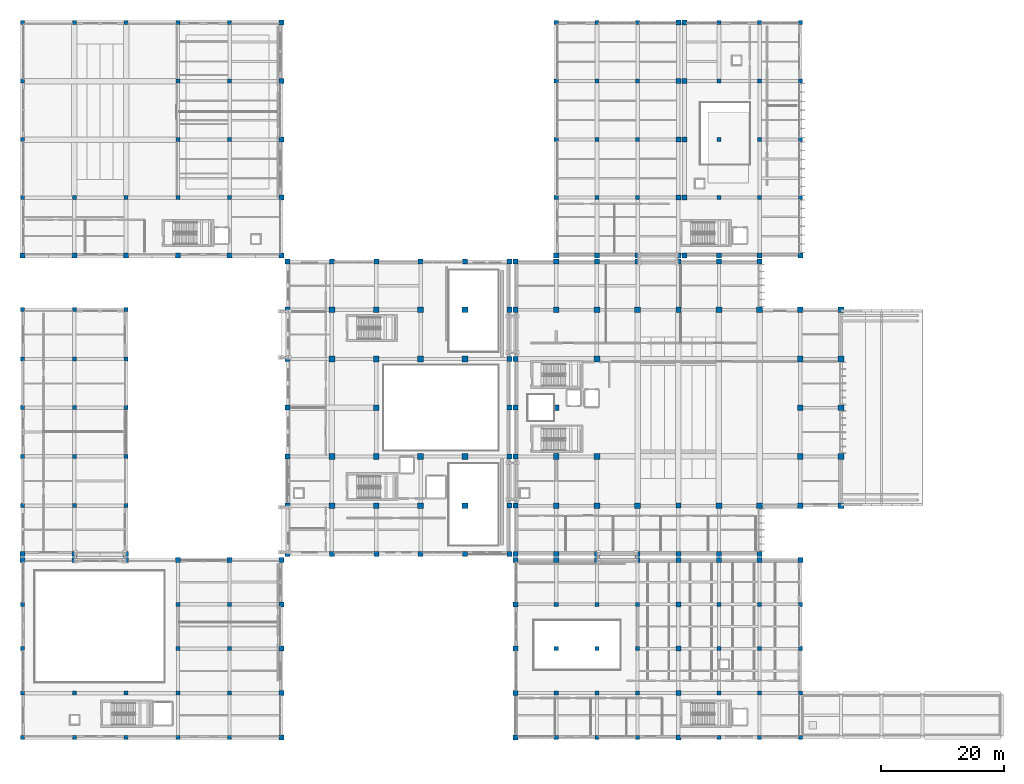
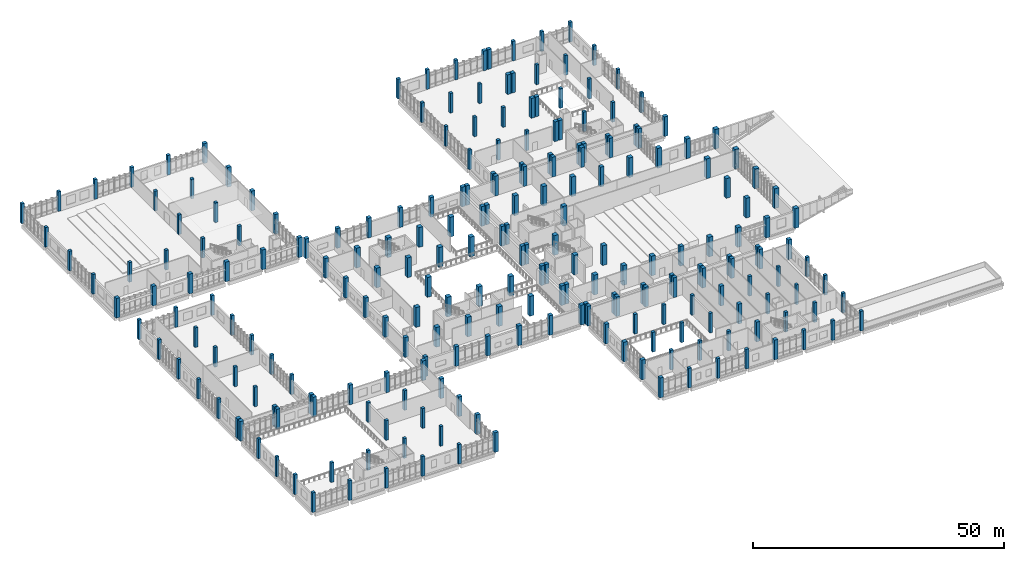
# One storey, part 1 of 90: 234 columns.
"""IFC4 building model written with IfcOpenShell, lengths in metres."""

from ifc_helpers import new_model, si_unit, direction, frame, origin, origin_2d, place, context, subcontext, project, spatial, rectangle, extrude, material, material_profile, profile_set, type_object, element, save


model = new_model("IFC4")

# Units and contexts
model_context = context("Model", 3, precision=1e-05, world=origin(), true_north=direction((0.0, 1.0)))
body_context = subcontext(model_context, "Body", "Model", "MODEL_VIEW")
ifc_project = project(units=[si_unit("LENGTHUNIT", "METRE"), si_unit("AREAUNIT", "SQUARE_METRE"), si_unit("VOLUMEUNIT", "CUBIC_METRE"), si_unit("PLANEANGLEUNIT", "RADIAN"), si_unit("MASSUNIT", "GRAM", prefix="KILO")], contexts=[model_context])

# Site, building, storey
site_placement = place(None, origin())
site = spatial("IfcSite", under=ifc_project, at=site_placement, CompositionType="ELEMENT")
building_placement = place(site_placement, origin())
building = spatial("IfcBuilding", under=site, at=building_placement, Name="Kelarvand Opera House", CompositionType="ELEMENT")
storey_placement = place(building_placement, frame((0.0, 0.0, 5.39990234375)))
storey = spatial("IfcBuildingStorey", under=building, at=storey_placement, Name="L01", CompositionType="ELEMENT", Elevation=5.39990234375)

# Columns
ifc_material = material(Name="Concrete C40/50", Category="concrete")
ifc_material_profile_1 = material_profile(ifc_material, rectangle(XDim=0.64990234375, YDim=0.64990234375, at=origin_2d()), Name="RC 650x650", Category="concrete")
ifc_profile_set_1 = profile_set([ifc_material_profile_1], Name="Concrete C40/50")
column_type_1 = type_object("IfcColumnType", Name="Structural Column RC 650x650 (Ext) COL-650E", PredefinedType="COLUMN", material=ifc_profile_set_1)
for number, where, z_axis, x_axis, name in (
    (1, (9.0, 96.60009765625, 0.0), (0.0, 0.0, 1.0), (1.0, 0.0, 0.0), "V3 Column COL-650E at L01"),
    (2, (9.0, 106.0, 0.0), (0.0, 0.0, 1.0), (1.0, 0.0, 0.0), "V3 Column COL-650E at L01"),
    (3, (9.0, 115.5, 0.0), (0.0, 0.0, 1.0), (1.0, 0.0, 0.0), "V3 Column COL-650E at L01"),
    (4, (9.0, 125.0, 0.0), (0.0, 0.0, 1.0), (1.0, 0.0, 0.0), "V3 Column COL-650E at L01"),
    (5, (17.39990234375, 125.0, 0.0), (0.0, 0.0, 1.0), (1.0, 0.0, 0.0), "V3 Column COL-650E at L01"),
    (6, (25.800048828125, 125.0, 0.0), (0.0, 0.0, 1.0), (1.0, 0.0, 0.0), "V3 Column COL-650E at L01"),
    (7, (34.199951171875, 125.0, 0.0), (0.0, 0.0, 1.0), (1.0, 0.0, 0.0), "V3 Column COL-650E at L01"),
    (8, (42.60009765625, 125.0, 0.0), (0.0, 0.0, 1.0), (1.0, 0.0, 0.0), "V3 Column COL-650E at L01"),
    (9, (9.0, 9.0, 0.0), (0.0, 0.0, 1.0), (1.0, 0.0, 0.0), "V4 Column COL-650E at L01"),
    (10, (9.0, 16.199951171875, 0.0), (0.0, 0.0, 1.0), (1.0, 0.0, 0.0), "V4 Column COL-650E at L01"),
    (11, (9.0, 23.39990234375, 0.0), (0.0, 0.0, 1.0), (1.0, 0.0, 0.0), "V4 Column COL-650E at L01"),
    (12, (9.0, 30.60009765625, 0.0), (0.0, 0.0, 1.0), (1.0, 0.0, 0.0), "V4 Column COL-650E at L01"),
    (13, (9.0, 46.60009765625, 0.0), (0.0, 0.0, 1.0), (1.0, 0.0, 0.0), "V4 Column COL-650E at L01"),
    (14, (9.0, 54.60009765625, 0.0), (0.0, 0.0, 1.0), (1.0, 0.0, 0.0), "V4 Column COL-650E at L01"),
    (15, (9.0, 62.5, 0.0), (0.0, 0.0, 1.0), (1.0, 0.0, 0.0), "V4 Column COL-650E at L01"),
    (16, (9.0, 70.39990234375, 0.0), (0.0, 0.0, 1.0), (1.0, 0.0, 0.0), "V4 Column COL-650E at L01"),
    (17, (9.0, 78.39990234375, 0.0), (0.0, 0.0, 1.0), (1.0, 0.0, 0.0), "V4 Column COL-650E at L01"),
    (18, (17.39990234375, 9.0, 0.0), (0.0, 0.0, 1.0), (1.0, 0.0, 0.0), "V4 Column COL-650E at L01"),
    (19, (25.800048828125, 9.0, 0.0), (0.0, 0.0, 1.0), (1.0, 0.0, 0.0), "V4 Column COL-650E at L01"),
    (20, (34.199951171875, 9.0, 0.0), (0.0, 0.0, 1.0), (1.0, 0.0, 0.0), "V4 Column COL-650E at L01"),
    (21, (42.60009765625, 9.0, 0.0), (0.0, 0.0, 1.0), (1.0, 0.0, 0.0), "V4 Column COL-650E at L01"),
    (22, (95.60009765625, 96.60009765625, 0.0), (0.0, 0.0, 1.0), (1.0, 0.0, 0.0), "V5 Column COL-650E at L01"),
    (23, (95.60009765625, 106.0, 0.0), (0.0, 0.0, 1.0), (1.0, 0.0, 0.0), "V5 Column COL-650E at L01"),
    (24, (95.60009765625, 115.5, 0.0), (0.0, 0.0, 1.0), (1.0, 0.0, 0.0), "V5 Column COL-650E at L01"),
    (25, (95.60009765625, 125.0, 0.0), (0.0, 0.0, 1.0), (1.0, 0.0, 0.0), "V5 Column COL-650E at L01"),
    (26, (102.199951171875, 125.0, 0.0), (0.0, 0.0, 1.0), (1.0, 0.0, 0.0), "V5 Column COL-650E at L01"),
    (27, (108.800048828125, 125.0, 0.0), (0.0, 0.0, 1.0), (1.0, 0.0, 0.0), "V5 Column COL-650E at L01"),
    (28, (122.0, 125.0, 0.0), (0.0, 0.0, 1.0), (1.0, 0.0, 0.0), "V5 Column COL-650E at L01"),
    (29, (128.60009765625, 125.0, 0.0), (0.0, 0.0, 1.0), (1.0, 0.0, 0.0), "V5 Column COL-650E at L01"),
    (30, (135.199951171875, 96.60009765625, 0.0), (0.0, 0.0, 1.0), (1.0, 0.0, 0.0), "V5 Column COL-650E at L01"),
    (31, (135.199951171875, 106.0, 0.0), (0.0, 0.0, 1.0), (1.0, 0.0, 0.0), "V5 Column COL-650E at L01"),
    (32, (135.199951171875, 115.5, 0.0), (0.0, 0.0, 1.0), (1.0, 0.0, 0.0), "V5 Column COL-650E at L01"),
    (33, (135.199951171875, 125.0, 0.0), (0.0, 0.0, 1.0), (1.0, 0.0, 0.0), "V5 Column COL-650E at L01"),
    (34, (95.60009765625, 9.0, 0.0), (0.0, 0.0, 1.0), (1.0, 0.0, 0.0), "V6 Column COL-650E at L01"),
    (35, (102.199951171875, 9.0, 0.0), (0.0, 0.0, 1.0), (1.0, 0.0, 0.0), "V6 Column COL-650E at L01"),
    (36, (108.800048828125, 9.0, 0.0), (0.0, 0.0, 1.0), (1.0, 0.0, 0.0), "V6 Column COL-650E at L01"),
    (37, (122.0, 9.0, 0.0), (0.0, 0.0, 1.0), (1.0, 0.0, 0.0), "V6 Column COL-650E at L01"),
    (38, (128.60009765625, 9.0, 0.0), (0.0, 0.0, 1.0), (1.0, 0.0, 0.0), "V6 Column COL-650E at L01"),
    (39, (135.199951171875, 9.0, 0.0), (0.0, 0.0, 1.0), (1.0, 0.0, 0.0), "V6 Column COL-650E at L01"),
):
    element("IfcColumn", number, at=place(storey_placement, frame(where, z_axis=z_axis, x_axis=x_axis)), inside=storey, type_object=column_type_1, Name=name, PredefinedType="COLUMN", context=body_context, shape_type="SweptSolid", body=[
        extrude(rectangle(XDim=0.64990234375, YDim=0.64990234375, at=origin_2d()), origin(), (0.0, 0.0, 1.0), 4.800048828125),
    ])
ifc_material_profile_2 = material_profile(ifc_material, rectangle(XDim=0.64990234375, YDim=0.64990234375, at=origin_2d()), Name="RC 650x650", Category="concrete")
ifc_profile_set_2 = profile_set([ifc_material_profile_2], Name="Concrete C40/50")
column_type_2 = type_object("IfcColumnType", Name="Structural Column RC 650x650 (Int) COL-650", PredefinedType="COLUMN", material=ifc_profile_set_2)
for number, where, z_axis, x_axis, name in (
    (40, (17.39990234375, 96.60009765625, 0.0), (0.0, 0.0, 1.0), (1.0, 0.0, 0.0), "V3 Column COL-650 at L01"),
    (41, (25.800048828125, 96.60009765625, 0.0), (0.0, 0.0, 1.0), (1.0, 0.0, 0.0), "V3 Column COL-650 at L01"),
    (42, (34.199951171875, 96.60009765625, 0.0), (0.0, 0.0, 1.0), (1.0, 0.0, 0.0), "V3 Column COL-650 at L01"),
    (43, (34.199951171875, 106.0, 0.0), (0.0, 0.0, 1.0), (1.0, 0.0, 0.0), "V3 Column COL-650 at L01"),
    (44, (34.199951171875, 115.5, 0.0), (0.0, 0.0, 1.0), (1.0, 0.0, 0.0), "V3 Column COL-650 at L01"),
    (45, (42.60009765625, 96.60009765625, 0.0), (0.0, 0.0, 1.0), (1.0, 0.0, 0.0), "V3 Column COL-650 at L01"),
    (46, (42.60009765625, 106.0, 0.0), (0.0, 0.0, 1.0), (1.0, 0.0, 0.0), "V3 Column COL-650 at L01"),
    (47, (42.60009765625, 115.5, 0.0), (0.0, 0.0, 1.0), (1.0, 0.0, 0.0), "V3 Column COL-650 at L01"),
    (48, (17.39990234375, 16.199951171875, 0.0), (0.0, 0.0, 1.0), (1.0, 0.0, 0.0), "V4 Column COL-650 at L01"),
    (49, (17.39990234375, 46.60009765625, 0.0), (0.0, 0.0, 1.0), (1.0, 0.0, 0.0), "V4 Column COL-650 at L01"),
    (50, (17.39990234375, 54.60009765625, 0.0), (0.0, 0.0, 1.0), (1.0, 0.0, 0.0), "V4 Column COL-650 at L01"),
    (51, (17.39990234375, 62.5, 0.0), (0.0, 0.0, 1.0), (1.0, 0.0, 0.0), "V4 Column COL-650 at L01"),
    (52, (17.39990234375, 70.39990234375, 0.0), (0.0, 0.0, 1.0), (1.0, 0.0, 0.0), "V4 Column COL-650 at L01"),
    (53, (17.39990234375, 78.39990234375, 0.0), (0.0, 0.0, 1.0), (1.0, 0.0, 0.0), "V4 Column COL-650 at L01"),
    (54, (25.800048828125, 16.199951171875, 0.0), (0.0, 0.0, 1.0), (1.0, 0.0, 0.0), "V4 Column COL-650 at L01"),
    (55, (25.800048828125, 46.60009765625, 0.0), (0.0, 0.0, 1.0), (1.0, 0.0, 0.0), "V4 Column COL-650 at L01"),
    (56, (25.800048828125, 54.60009765625, 0.0), (0.0, 0.0, 1.0), (1.0, 0.0, 0.0), "V4 Column COL-650 at L01"),
    (57, (25.800048828125, 62.5, 0.0), (0.0, 0.0, 1.0), (1.0, 0.0, 0.0), "V4 Column COL-650 at L01"),
    (58, (25.800048828125, 70.39990234375, 0.0), (0.0, 0.0, 1.0), (1.0, 0.0, 0.0), "V4 Column COL-650 at L01"),
    (59, (25.800048828125, 78.39990234375, 0.0), (0.0, 0.0, 1.0), (1.0, 0.0, 0.0), "V4 Column COL-650 at L01"),
    (60, (34.199951171875, 16.199951171875, 0.0), (0.0, 0.0, 1.0), (1.0, 0.0, 0.0), "V4 Column COL-650 at L01"),
    (61, (34.199951171875, 23.39990234375, 0.0), (0.0, 0.0, 1.0), (1.0, 0.0, 0.0), "V4 Column COL-650 at L01"),
    (62, (34.199951171875, 30.60009765625, 0.0), (0.0, 0.0, 1.0), (1.0, 0.0, 0.0), "V4 Column COL-650 at L01"),
    (63, (42.60009765625, 16.199951171875, 0.0), (0.0, 0.0, 1.0), (1.0, 0.0, 0.0), "V4 Column COL-650 at L01"),
    (64, (42.60009765625, 23.39990234375, 0.0), (0.0, 0.0, 1.0), (1.0, 0.0, 0.0), "V4 Column COL-650 at L01"),
    (65, (42.60009765625, 30.60009765625, 0.0), (0.0, 0.0, 1.0), (1.0, 0.0, 0.0), "V4 Column COL-650 at L01"),
    (66, (102.199951171875, 96.60009765625, 0.0), (0.0, 0.0, 1.0), (1.0, 0.0, 0.0), "V5 Column COL-650 at L01"),
    (67, (102.199951171875, 106.0, 0.0), (0.0, 0.0, 1.0), (1.0, 0.0, 0.0), "V5 Column COL-650 at L01"),
    (68, (102.199951171875, 115.5, 0.0), (0.0, 0.0, 1.0), (1.0, 0.0, 0.0), "V5 Column COL-650 at L01"),
    (69, (108.800048828125, 96.60009765625, 0.0), (0.0, 0.0, 1.0), (1.0, 0.0, 0.0), "V5 Column COL-650 at L01"),
    (70, (108.800048828125, 106.0, 0.0), (0.0, 0.0, 1.0), (1.0, 0.0, 0.0), "V5 Column COL-650 at L01"),
    (71, (108.800048828125, 115.5, 0.0), (0.0, 0.0, 1.0), (1.0, 0.0, 0.0), "V5 Column COL-650 at L01"),
    (72, (122.0, 96.60009765625, 0.0), (0.0, 0.0, 1.0), (1.0, 0.0, 0.0), "V5 Column COL-650 at L01"),
    (73, (122.0, 106.0, 0.0), (0.0, 0.0, 1.0), (1.0, 0.0, 0.0), "V5 Column COL-650 at L01"),
    (74, (122.0, 115.5, 0.0), (0.0, 0.0, 1.0), (1.0, 0.0, 0.0), "V5 Column COL-650 at L01"),
    (75, (128.60009765625, 96.60009765625, 0.0), (0.0, 0.0, 1.0), (1.0, 0.0, 0.0), "V5 Column COL-650 at L01"),
    (76, (128.60009765625, 106.0, 0.0), (0.0, 0.0, 1.0), (1.0, 0.0, 0.0), "V5 Column COL-650 at L01"),
    (77, (128.60009765625, 115.5, 0.0), (0.0, 0.0, 1.0), (1.0, 0.0, 0.0), "V5 Column COL-650 at L01"),
    (78, (95.60009765625, 16.199951171875, 0.0), (0.0, 0.0, 1.0), (1.0, 0.0, 0.0), "V6 Column COL-650 at L01"),
    (79, (95.60009765625, 23.39990234375, 0.0), (0.0, 0.0, 1.0), (1.0, 0.0, 0.0), "V6 Column COL-650 at L01"),
    (80, (95.60009765625, 30.60009765625, 0.0), (0.0, 0.0, 1.0), (1.0, 0.0, 0.0), "V6 Column COL-650 at L01"),
    (81, (102.199951171875, 16.199951171875, 0.0), (0.0, 0.0, 1.0), (1.0, 0.0, 0.0), "V6 Column COL-650 at L01"),
    (82, (102.199951171875, 23.39990234375, 0.0), (0.0, 0.0, 1.0), (1.0, 0.0, 0.0), "V6 Column COL-650 at L01"),
    (83, (102.199951171875, 30.60009765625, 0.0), (0.0, 0.0, 1.0), (1.0, 0.0, 0.0), "V6 Column COL-650 at L01"),
    (84, (108.800048828125, 16.199951171875, 0.0), (0.0, 0.0, 1.0), (1.0, 0.0, 0.0), "V6 Column COL-650 at L01"),
    (85, (108.800048828125, 23.39990234375, 0.0), (0.0, 0.0, 1.0), (1.0, 0.0, 0.0), "V6 Column COL-650 at L01"),
    (86, (108.800048828125, 30.60009765625, 0.0), (0.0, 0.0, 1.0), (1.0, 0.0, 0.0), "V6 Column COL-650 at L01"),
    (87, (122.0, 16.199951171875, 0.0), (0.0, 0.0, 1.0), (1.0, 0.0, 0.0), "V6 Column COL-650 at L01"),
    (88, (122.0, 23.39990234375, 0.0), (0.0, 0.0, 1.0), (1.0, 0.0, 0.0), "V6 Column COL-650 at L01"),
    (89, (122.0, 30.60009765625, 0.0), (0.0, 0.0, 1.0), (1.0, 0.0, 0.0), "V6 Column COL-650 at L01"),
    (90, (128.60009765625, 16.199951171875, 0.0), (0.0, 0.0, 1.0), (1.0, 0.0, 0.0), "V6 Column COL-650 at L01"),
    (91, (128.60009765625, 23.39990234375, 0.0), (0.0, 0.0, 1.0), (1.0, 0.0, 0.0), "V6 Column COL-650 at L01"),
    (92, (128.60009765625, 30.60009765625, 0.0), (0.0, 0.0, 1.0), (1.0, 0.0, 0.0), "V6 Column COL-650 at L01"),
    (93, (135.199951171875, 16.199951171875, 0.0), (0.0, 0.0, 1.0), (1.0, 0.0, 0.0), "V6 Column COL-650 at L01"),
    (94, (135.199951171875, 23.39990234375, 0.0), (0.0, 0.0, 1.0), (1.0, 0.0, 0.0), "V6 Column COL-650 at L01"),
    (95, (135.199951171875, 30.60009765625, 0.0), (0.0, 0.0, 1.0), (1.0, 0.0, 0.0), "V6 Column COL-650 at L01"),
):
    element("IfcColumn", number, at=place(storey_placement, frame(where, z_axis=z_axis, x_axis=x_axis)), inside=storey, type_object=column_type_2, Name=name, PredefinedType="COLUMN", context=body_context, shape_type="SweptSolid", body=[
        extrude(rectangle(XDim=0.64990234375, YDim=0.64990234375, at=origin_2d()), origin(), (0.0, 0.0, 1.0), 4.800048828125),
    ])
ifc_material_profile_3 = material_profile(ifc_material, rectangle(XDim=0.820068359375, YDim=0.820068359375, at=origin_2d()), Name="RC 820x820", Category="concrete")
ifc_profile_set_3 = profile_set([ifc_material_profile_3], Name="Concrete C40/50")
column_type_3 = type_object("IfcColumnType", Name="Structural Column RC 820x820 (Int) COL-820", PredefinedType="COLUMN", material=ifc_profile_set_3)
for number, where, z_axis, x_axis, name in (
    (96, (89.0, 38.800048828125, 0.0), (0.0, 0.0, 1.0), (1.0, 0.0, 0.0), "V1 Column COL-820 at L01"),
    (97, (89.0, 46.60009765625, 0.0), (0.0, 0.0, 1.0), (1.0, 0.0, 0.0), "V1 Column COL-820 at L01"),
    (98, (89.0, 54.60009765625, 0.0), (0.0, 0.0, 1.0), (1.0, 0.0, 0.0), "V1 Column COL-820 at L01"),
    (99, (89.0, 62.5, 0.0), (0.0, 0.0, 1.0), (1.0, 0.0, 0.0), "V1 Column COL-820 at L01"),
    (100, (89.0, 70.39990234375, 0.0), (0.0, 0.0, 1.0), (1.0, 0.0, 0.0), "V1 Column COL-820 at L01"),
    (101, (89.0, 78.39990234375, 0.0), (0.0, 0.0, 1.0), (1.0, 0.0, 0.0), "V1 Column COL-820 at L01"),
    (102, (89.0, 86.199951171875, 0.0), (0.0, 0.0, 1.0), (1.0, 0.0, 0.0), "V1 Column COL-820 at L01"),
    (103, (95.60009765625, 38.800048828125, 0.0), (0.0, 0.0, 1.0), (1.0, 0.0, 0.0), "V1 Column COL-820 at L01"),
    (104, (95.60009765625, 86.199951171875, 0.0), (0.0, 0.0, 1.0), (1.0, 0.0, 0.0), "V1 Column COL-820 at L01"),
    (105, (102.199951171875, 38.800048828125, 0.0), (0.0, 0.0, 1.0), (1.0, 0.0, 0.0), "V1 Column COL-820 at L01"),
    (106, (102.199951171875, 86.199951171875, 0.0), (0.0, 0.0, 1.0), (1.0, 0.0, 0.0), "V1 Column COL-820 at L01"),
    (107, (108.800048828125, 38.800048828125, 0.0), (0.0, 0.0, 1.0), (1.0, 0.0, 0.0), "V1 Column COL-820 at L01"),
    (108, (108.800048828125, 86.199951171875, 0.0), (0.0, 0.0, 1.0), (1.0, 0.0, 0.0), "V1 Column COL-820 at L01"),
    (109, (115.39990234375, 38.800048828125, 0.0), (0.0, 0.0, 1.0), (1.0, 0.0, 0.0), "V1 Column COL-820 at L01"),
    (110, (115.39990234375, 46.60009765625, 0.0), (0.0, 0.0, 1.0), (1.0, 0.0, 0.0), "V1 Column COL-820 at L01"),
    (111, (115.39990234375, 78.39990234375, 0.0), (0.0, 0.0, 1.0), (1.0, 0.0, 0.0), "V1 Column COL-820 at L01"),
    (112, (115.39990234375, 86.199951171875, 0.0), (0.0, 0.0, 1.0), (1.0, 0.0, 0.0), "V1 Column COL-820 at L01"),
    (113, (122.0, 38.800048828125, 0.0), (0.0, 0.0, 1.0), (1.0, 0.0, 0.0), "V1 Column COL-820 at L01"),
    (114, (122.0, 86.199951171875, 0.0), (0.0, 0.0, 1.0), (1.0, 0.0, 0.0), "V1 Column COL-820 at L01"),
    (115, (128.60009765625, 38.800048828125, 0.0), (0.0, 0.0, 1.0), (1.0, 0.0, 0.0), "V1 Column COL-820 at L01"),
    (116, (128.60009765625, 86.199951171875, 0.0), (0.0, 0.0, 1.0), (1.0, 0.0, 0.0), "V1 Column COL-820 at L01"),
    (117, (52.0, 38.800048828125, 0.0), (0.0, 0.0, 1.0), (1.0, 0.0, 0.0), "V2 Column COL-820 at L01"),
    (118, (52.0, 46.60009765625, 0.0), (0.0, 0.0, 1.0), (1.0, 0.0, 0.0), "V2 Column COL-820 at L01"),
    (119, (52.0, 54.60009765625, 0.0), (0.0, 0.0, 1.0), (1.0, 0.0, 0.0), "V2 Column COL-820 at L01"),
    (120, (52.0, 62.5, 0.0), (0.0, 0.0, 1.0), (1.0, 0.0, 0.0), "V2 Column COL-820 at L01"),
    (121, (52.0, 70.39990234375, 0.0), (0.0, 0.0, 1.0), (1.0, 0.0, 0.0), "V2 Column COL-820 at L01"),
    (122, (52.0, 78.39990234375, 0.0), (0.0, 0.0, 1.0), (1.0, 0.0, 0.0), "V2 Column COL-820 at L01"),
    (123, (52.0, 86.199951171875, 0.0), (0.0, 0.0, 1.0), (1.0, 0.0, 0.0), "V2 Column COL-820 at L01"),
    (124, (59.199951171875, 38.800048828125, 0.0), (0.0, 0.0, 1.0), (1.0, 0.0, 0.0), "V2 Column COL-820 at L01"),
    (125, (59.199951171875, 86.199951171875, 0.0), (0.0, 0.0, 1.0), (1.0, 0.0, 0.0), "V2 Column COL-820 at L01"),
    (126, (66.39990234375, 38.800048828125, 0.0), (0.0, 0.0, 1.0), (1.0, 0.0, 0.0), "V2 Column COL-820 at L01"),
    (127, (66.39990234375, 86.199951171875, 0.0), (0.0, 0.0, 1.0), (1.0, 0.0, 0.0), "V2 Column COL-820 at L01"),
    (128, (73.60009765625, 38.800048828125, 0.0), (0.0, 0.0, 1.0), (1.0, 0.0, 0.0), "V2 Column COL-820 at L01"),
    (129, (73.60009765625, 86.199951171875, 0.0), (0.0, 0.0, 1.0), (1.0, 0.0, 0.0), "V2 Column COL-820 at L01"),
    (130, (80.800048828125, 38.800048828125, 0.0), (0.0, 0.0, 1.0), (1.0, 0.0, 0.0), "V2 Column COL-820 at L01"),
    (131, (80.800048828125, 86.199951171875, 0.0), (0.0, 0.0, 1.0), (1.0, 0.0, 0.0), "V2 Column COL-820 at L01"),
    (132, (88.0, 38.800048828125, 0.0), (0.0, 0.0, 1.0), (1.0, 0.0, 0.0), "V2 Column COL-820 at L01"),
    (133, (88.0, 46.60009765625, 0.0), (0.0, 0.0, 1.0), (1.0, 0.0, 0.0), "V2 Column COL-820 at L01"),
    (134, (88.0, 54.60009765625, 0.0), (0.0, 0.0, 1.0), (1.0, 0.0, 0.0), "V2 Column COL-820 at L01"),
    (135, (88.0, 62.5, 0.0), (0.0, 0.0, 1.0), (1.0, 0.0, 0.0), "V2 Column COL-820 at L01"),
    (136, (88.0, 70.39990234375, 0.0), (0.0, 0.0, 1.0), (1.0, 0.0, 0.0), "V2 Column COL-820 at L01"),
    (137, (88.0, 78.39990234375, 0.0), (0.0, 0.0, 1.0), (1.0, 0.0, 0.0), "V2 Column COL-820 at L01"),
    (138, (88.0, 86.199951171875, 0.0), (0.0, 0.0, 1.0), (1.0, 0.0, 0.0), "V2 Column COL-820 at L01"),
    (139, (9.0, 87.199951171875, 0.0), (0.0, 0.0, 1.0), (1.0, 0.0, 0.0), "V3 Column COL-820 at L01"),
    (140, (17.39990234375, 87.199951171875, 0.0), (0.0, 0.0, 1.0), (1.0, 0.0, 0.0), "V3 Column COL-820 at L01"),
    (141, (25.800048828125, 87.199951171875, 0.0), (0.0, 0.0, 1.0), (1.0, 0.0, 0.0), "V3 Column COL-820 at L01"),
    (142, (34.199951171875, 87.199951171875, 0.0), (0.0, 0.0, 1.0), (1.0, 0.0, 0.0), "V3 Column COL-820 at L01"),
    (143, (42.60009765625, 87.199951171875, 0.0), (0.0, 0.0, 1.0), (1.0, 0.0, 0.0), "V3 Column COL-820 at L01"),
    (144, (51.0, 87.199951171875, 0.0), (0.0, 0.0, 1.0), (1.0, 0.0, 0.0), "V3 Column COL-820 at L01"),
    (145, (51.0, 96.60009765625, 0.0), (0.0, 0.0, 1.0), (1.0, 0.0, 0.0), "V3 Column COL-820 at L01"),
    (146, (51.0, 106.0, 0.0), (0.0, 0.0, 1.0), (1.0, 0.0, 0.0), "V3 Column COL-820 at L01"),
    (147, (51.0, 115.5, 0.0), (0.0, 0.0, 1.0), (1.0, 0.0, 0.0), "V3 Column COL-820 at L01"),
    (148, (51.0, 125.0, 0.0), (0.0, 0.0, 1.0), (1.0, 0.0, 0.0), "V3 Column COL-820 at L01"),
    (149, (9.0, 37.800048828125, 0.0), (0.0, 0.0, 1.0), (1.0, 0.0, 0.0), "V4 Column COL-820 at L01"),
    (150, (9.0, 38.800048828125, 0.0), (0.0, 0.0, 1.0), (1.0, 0.0, 0.0), "V4 Column COL-820 at L01"),
    (151, (17.39990234375, 37.800048828125, 0.0), (0.0, 0.0, 1.0), (1.0, 0.0, 0.0), "V4 Column COL-820 at L01"),
    (152, (17.39990234375, 38.800048828125, 0.0), (0.0, 0.0, 1.0), (1.0, 0.0, 0.0), "V4 Column COL-820 at L01"),
    (153, (25.800048828125, 37.800048828125, 0.0), (0.0, 0.0, 1.0), (1.0, 0.0, 0.0), "V4 Column COL-820 at L01"),
    (154, (25.800048828125, 38.800048828125, 0.0), (0.0, 0.0, 1.0), (1.0, 0.0, 0.0), "V4 Column COL-820 at L01"),
    (155, (34.199951171875, 37.800048828125, 0.0), (0.0, 0.0, 1.0), (1.0, 0.0, 0.0), "V4 Column COL-820 at L01"),
    (156, (42.60009765625, 37.800048828125, 0.0), (0.0, 0.0, 1.0), (1.0, 0.0, 0.0), "V4 Column COL-820 at L01"),
    (157, (51.0, 9.0, 0.0), (0.0, 0.0, 1.0), (1.0, 0.0, 0.0), "V4 Column COL-820 at L01"),
    (158, (51.0, 16.199951171875, 0.0), (0.0, 0.0, 1.0), (1.0, 0.0, 0.0), "V4 Column COL-820 at L01"),
    (159, (51.0, 23.39990234375, 0.0), (0.0, 0.0, 1.0), (1.0, 0.0, 0.0), "V4 Column COL-820 at L01"),
    (160, (51.0, 30.60009765625, 0.0), (0.0, 0.0, 1.0), (1.0, 0.0, 0.0), "V4 Column COL-820 at L01"),
    (161, (51.0, 37.800048828125, 0.0), (0.0, 0.0, 1.0), (1.0, 0.0, 0.0), "V4 Column COL-820 at L01"),
    (162, (95.60009765625, 87.199951171875, 0.0), (0.0, 0.0, 1.0), (1.0, 0.0, 0.0), "V5 Column COL-820 at L01"),
    (163, (102.199951171875, 87.199951171875, 0.0), (0.0, 0.0, 1.0), (1.0, 0.0, 0.0), "V5 Column COL-820 at L01"),
    (164, (108.800048828125, 87.199951171875, 0.0), (0.0, 0.0, 1.0), (1.0, 0.0, 0.0), "V5 Column COL-820 at L01"),
    (165, (115.39990234375, 87.199951171875, 0.0), (0.0, 0.0, 1.0), (1.0, 0.0, 0.0), "V5 Column COL-820 at L01"),
    (166, (115.39990234375, 96.60009765625, 0.0), (0.0, 0.0, 1.0), (1.0, 0.0, 0.0), "V5 Column COL-820 at L01"),
    (167, (115.39990234375, 106.0, 0.0), (0.0, 0.0, 1.0), (1.0, 0.0, 0.0), "V5 Column COL-820 at L01"),
    (168, (115.39990234375, 115.5, 0.0), (0.0, 0.0, 1.0), (1.0, 0.0, 0.0), "V5 Column COL-820 at L01"),
    (169, (115.39990234375, 125.0, 0.0), (0.0, 0.0, 1.0), (1.0, 0.0, 0.0), "V5 Column COL-820 at L01"),
    (170, (116.39990234375, 87.199951171875, 0.0), (0.0, 0.0, 1.0), (1.0, 0.0, 0.0), "V5 Column COL-820 at L01"),
    (171, (116.39990234375, 96.60009765625, 0.0), (0.0, 0.0, 1.0), (1.0, 0.0, 0.0), "V5 Column COL-820 at L01"),
    (172, (116.39990234375, 106.0, 0.0), (0.0, 0.0, 1.0), (1.0, 0.0, 0.0), "V5 Column COL-820 at L01"),
    (173, (116.39990234375, 115.5, 0.0), (0.0, 0.0, 1.0), (1.0, 0.0, 0.0), "V5 Column COL-820 at L01"),
    (174, (116.39990234375, 125.0, 0.0), (0.0, 0.0, 1.0), (1.0, 0.0, 0.0), "V5 Column COL-820 at L01"),
    (175, (122.0, 87.199951171875, 0.0), (0.0, 0.0, 1.0), (1.0, 0.0, 0.0), "V5 Column COL-820 at L01"),
    (176, (128.60009765625, 87.199951171875, 0.0), (0.0, 0.0, 1.0), (1.0, 0.0, 0.0), "V5 Column COL-820 at L01"),
    (177, (135.199951171875, 87.199951171875, 0.0), (0.0, 0.0, 1.0), (1.0, 0.0, 0.0), "V5 Column COL-820 at L01"),
    (178, (89.0, 9.0, 0.0), (0.0, 0.0, 1.0), (1.0, 0.0, 0.0), "V6 Column COL-820 at L01"),
    (179, (89.0, 16.199951171875, 0.0), (0.0, 0.0, 1.0), (1.0, 0.0, 0.0), "V6 Column COL-820 at L01"),
    (180, (89.0, 23.39990234375, 0.0), (0.0, 0.0, 1.0), (1.0, 0.0, 0.0), "V6 Column COL-820 at L01"),
    (181, (89.0, 30.60009765625, 0.0), (0.0, 0.0, 1.0), (1.0, 0.0, 0.0), "V6 Column COL-820 at L01"),
    (182, (89.0, 37.800048828125, 0.0), (0.0, 0.0, 1.0), (1.0, 0.0, 0.0), "V6 Column COL-820 at L01"),
    (183, (95.60009765625, 37.800048828125, 0.0), (0.0, 0.0, 1.0), (1.0, 0.0, 0.0), "V6 Column COL-820 at L01"),
    (184, (102.199951171875, 37.800048828125, 0.0), (0.0, 0.0, 1.0), (1.0, 0.0, 0.0), "V6 Column COL-820 at L01"),
    (185, (108.800048828125, 37.800048828125, 0.0), (0.0, 0.0, 1.0), (1.0, 0.0, 0.0), "V6 Column COL-820 at L01"),
    (186, (115.39990234375, 9.0, 0.0), (0.0, 0.0, 1.0), (1.0, 0.0, 0.0), "V6 Column COL-820 at L01"),
    (187, (115.39990234375, 16.199951171875, 0.0), (0.0, 0.0, 1.0), (1.0, 0.0, 0.0), "V6 Column COL-820 at L01"),
    (188, (115.39990234375, 23.39990234375, 0.0), (0.0, 0.0, 1.0), (1.0, 0.0, 0.0), "V6 Column COL-820 at L01"),
    (189, (115.39990234375, 30.60009765625, 0.0), (0.0, 0.0, 1.0), (1.0, 0.0, 0.0), "V6 Column COL-820 at L01"),
    (190, (115.39990234375, 37.800048828125, 0.0), (0.0, 0.0, 1.0), (1.0, 0.0, 0.0), "V6 Column COL-820 at L01"),
    (191, (122.0, 37.800048828125, 0.0), (0.0, 0.0, 1.0), (1.0, 0.0, 0.0), "V6 Column COL-820 at L01"),
    (192, (128.60009765625, 37.800048828125, 0.0), (0.0, 0.0, 1.0), (1.0, 0.0, 0.0), "V6 Column COL-820 at L01"),
    (193, (135.199951171875, 37.800048828125, 0.0), (0.0, 0.0, 1.0), (1.0, 0.0, 0.0), "V6 Column COL-820 at L01"),
):
    element("IfcColumn", number, at=place(storey_placement, frame(where, z_axis=z_axis, x_axis=x_axis)), inside=storey, type_object=column_type_3, Name=name, PredefinedType="COLUMN", context=body_context, shape_type="SweptSolid", body=[
        extrude(rectangle(XDim=0.820068359375, YDim=0.820068359375, at=origin_2d()), origin(), (0.0, 0.0, 1.0), 4.800048828125),
    ])
ifc_material_profile_4 = material_profile(ifc_material, rectangle(XDim=0.949951171875, YDim=0.949951171875, at=origin_2d()), Name="RC 950x950", Category="concrete")
ifc_profile_set_4 = profile_set([ifc_material_profile_4], Name="Concrete C40/50")
column_type_4 = type_object("IfcColumnType", Name="Structural Column RC 950x950 (Int) COL-950", PredefinedType="COLUMN", material=ifc_profile_set_4)
for number, where, z_axis, x_axis, name in (
    (194, (95.60009765625, 46.60009765625, 0.0), (0.0, 0.0, 1.0), (1.0, 0.0, 0.0), "V1 Column COL-950 at L01"),
    (195, (95.60009765625, 54.60009765625, 0.0), (0.0, 0.0, 1.0), (1.0, 0.0, 0.0), "V1 Column COL-950 at L01"),
    (196, (95.60009765625, 62.5, 0.0), (0.0, 0.0, 1.0), (1.0, 0.0, 0.0), "V1 Column COL-950 at L01"),
    (197, (95.60009765625, 78.39990234375, 0.0), (0.0, 0.0, 1.0), (1.0, 0.0, 0.0), "V1 Column COL-950 at L01"),
    (198, (102.199951171875, 46.60009765625, 0.0), (0.0, 0.0, 1.0), (1.0, 0.0, 0.0), "V1 Column COL-950 at L01"),
    (199, (102.199951171875, 54.60009765625, 0.0), (0.0, 0.0, 1.0), (1.0, 0.0, 0.0), "V1 Column COL-950 at L01"),
    (200, (102.199951171875, 70.39990234375, 0.0), (0.0, 0.0, 1.0), (1.0, 0.0, 0.0), "V1 Column COL-950 at L01"),
    (201, (102.199951171875, 78.39990234375, 0.0), (0.0, 0.0, 1.0), (1.0, 0.0, 0.0), "V1 Column COL-950 at L01"),
    (202, (108.800048828125, 46.60009765625, 0.0), (0.0, 0.0, 1.0), (1.0, 0.0, 0.0), "V1 Column COL-950 at L01"),
    (203, (108.800048828125, 78.39990234375, 0.0), (0.0, 0.0, 1.0), (1.0, 0.0, 0.0), "V1 Column COL-950 at L01"),
    (204, (122.0, 46.60009765625, 0.0), (0.0, 0.0, 1.0), (1.0, 0.0, 0.0), "V1 Column COL-950 at L01"),
    (205, (122.0, 78.39990234375, 0.0), (0.0, 0.0, 1.0), (1.0, 0.0, 0.0), "V1 Column COL-950 at L01"),
    (206, (128.60009765625, 46.60009765625, 0.0), (0.0, 0.0, 1.0), (1.0, 0.0, 0.0), "V1 Column COL-950 at L01"),
    (207, (128.60009765625, 78.39990234375, 0.0), (0.0, 0.0, 1.0), (1.0, 0.0, 0.0), "V1 Column COL-950 at L01"),
    (208, (135.199951171875, 46.60009765625, 0.0), (0.0, 0.0, 1.0), (1.0, 0.0, 0.0), "V1 Column COL-950 at L01"),
    (209, (135.199951171875, 54.60009765625, 0.0), (0.0, 0.0, 1.0), (1.0, 0.0, 0.0), "V1 Column COL-950 at L01"),
    (210, (135.199951171875, 62.5, 0.0), (0.0, 0.0, 1.0), (1.0, 0.0, 0.0), "V1 Column COL-950 at L01"),
    (211, (135.199951171875, 70.39990234375, 0.0), (0.0, 0.0, 1.0), (1.0, 0.0, 0.0), "V1 Column COL-950 at L01"),
    (212, (135.199951171875, 78.39990234375, 0.0), (0.0, 0.0, 1.0), (1.0, 0.0, 0.0), "V1 Column COL-950 at L01"),
    (213, (141.800048828125, 46.60009765625, 0.0), (0.0, 0.0, 1.0), (1.0, 0.0, 0.0), "V1 Column COL-950 at L01"),
    (214, (141.800048828125, 54.60009765625, 0.0), (0.0, 0.0, 1.0), (1.0, 0.0, 0.0), "V1 Column COL-950 at L01"),
    (215, (141.800048828125, 62.5, 0.0), (0.0, 0.0, 1.0), (1.0, 0.0, 0.0), "V1 Column COL-950 at L01"),
    (216, (141.800048828125, 70.39990234375, 0.0), (0.0, 0.0, 1.0), (1.0, 0.0, 0.0), "V1 Column COL-950 at L01"),
    (217, (141.800048828125, 78.39990234375, 0.0), (0.0, 0.0, 1.0), (1.0, 0.0, 0.0), "V1 Column COL-950 at L01"),
    (218, (59.199951171875, 46.60009765625, 0.0), (0.0, 0.0, 1.0), (1.0, 0.0, 0.0), "V2 Column COL-950 at L01"),
    (219, (59.199951171875, 54.60009765625, 0.0), (0.0, 0.0, 1.0), (1.0, 0.0, 0.0), "V2 Column COL-950 at L01"),
    (220, (59.199951171875, 70.39990234375, 0.0), (0.0, 0.0, 1.0), (1.0, 0.0, 0.0), "V2 Column COL-950 at L01"),
    (221, (59.199951171875, 78.39990234375, 0.0), (0.0, 0.0, 1.0), (1.0, 0.0, 0.0), "V2 Column COL-950 at L01"),
    (222, (66.39990234375, 46.60009765625, 0.0), (0.0, 0.0, 1.0), (1.0, 0.0, 0.0), "V2 Column COL-950 at L01"),
    (223, (66.39990234375, 54.60009765625, 0.0), (0.0, 0.0, 1.0), (1.0, 0.0, 0.0), "V2 Column COL-950 at L01"),
    (224, (66.39990234375, 62.5, 0.0), (0.0, 0.0, 1.0), (1.0, 0.0, 0.0), "V2 Column COL-950 at L01"),
    (225, (66.39990234375, 70.39990234375, 0.0), (0.0, 0.0, 1.0), (1.0, 0.0, 0.0), "V2 Column COL-950 at L01"),
    (226, (66.39990234375, 78.39990234375, 0.0), (0.0, 0.0, 1.0), (1.0, 0.0, 0.0), "V2 Column COL-950 at L01"),
    (227, (73.60009765625, 46.60009765625, 0.0), (0.0, 0.0, 1.0), (1.0, 0.0, 0.0), "V2 Column COL-950 at L01"),
    (228, (73.60009765625, 54.60009765625, 0.0), (0.0, 0.0, 1.0), (1.0, 0.0, 0.0), "V2 Column COL-950 at L01"),
    (229, (73.60009765625, 70.39990234375, 0.0), (0.0, 0.0, 1.0), (1.0, 0.0, 0.0), "V2 Column COL-950 at L01"),
    (230, (73.60009765625, 78.39990234375, 0.0), (0.0, 0.0, 1.0), (1.0, 0.0, 0.0), "V2 Column COL-950 at L01"),
    (231, (80.800048828125, 46.60009765625, 0.0), (0.0, 0.0, 1.0), (1.0, 0.0, 0.0), "V2 Column COL-950 at L01"),
    (232, (80.800048828125, 54.60009765625, 0.0), (0.0, 0.0, 1.0), (1.0, 0.0, 0.0), "V2 Column COL-950 at L01"),
    (233, (80.800048828125, 70.39990234375, 0.0), (0.0, 0.0, 1.0), (1.0, 0.0, 0.0), "V2 Column COL-950 at L01"),
    (234, (80.800048828125, 78.39990234375, 0.0), (0.0, 0.0, 1.0), (1.0, 0.0, 0.0), "V2 Column COL-950 at L01"),
):
    element("IfcColumn", number, at=place(storey_placement, frame(where, z_axis=z_axis, x_axis=x_axis)), inside=storey, type_object=column_type_4, Name=name, PredefinedType="COLUMN", context=body_context, shape_type="SweptSolid", body=[
        extrude(rectangle(XDim=0.949951171875, YDim=0.949951171875, at=origin_2d()), origin(), (0.0, 0.0, 1.0), 4.800048828125),
    ])

save(model, "model.ifc")
